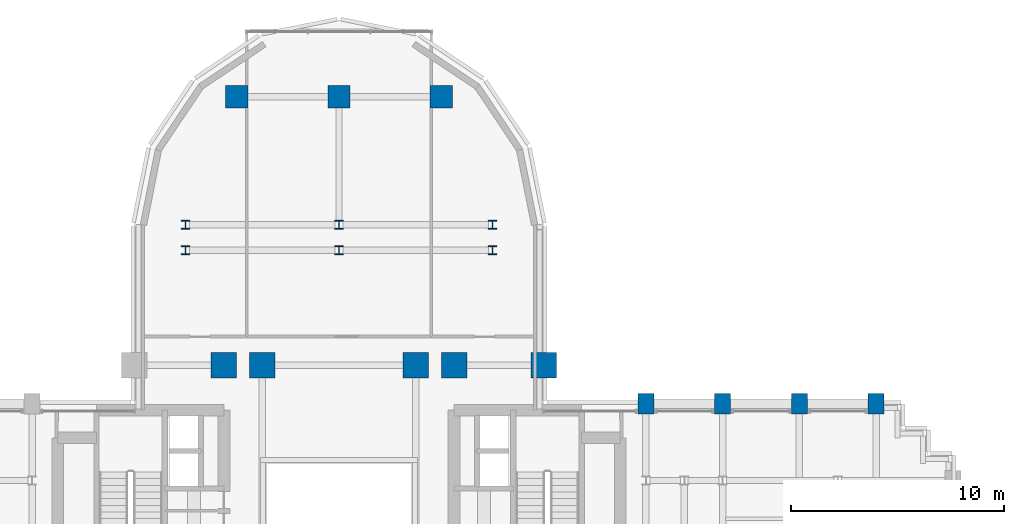
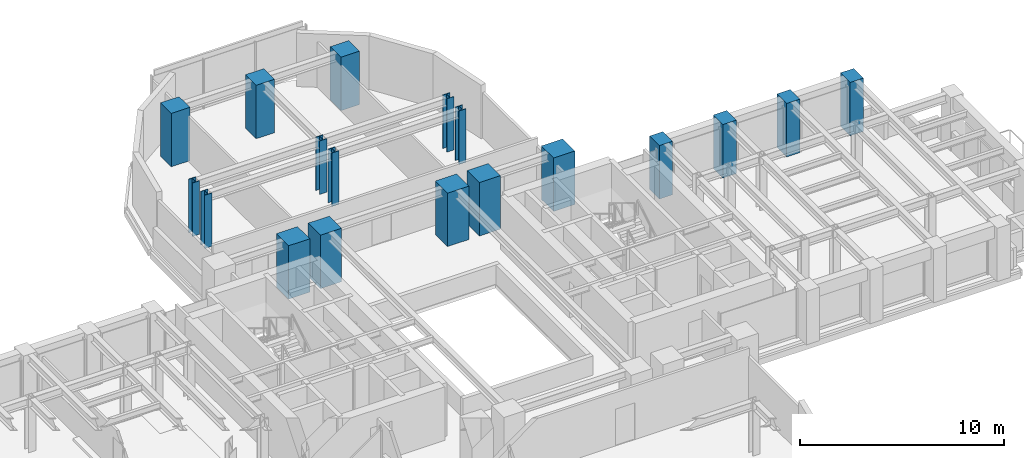
# One storey, part 2 of 15: 18 columns.
"""IFC4 building model written with IfcOpenShell, lengths in metres."""

from ifc_helpers import new_model, si_unit, direction, frame, origin, origin_2d, place, context, subcontext, project, spatial, rectangle, i_section, extrude, source, transform, mapped, material, material_profile, profile_set, type_object, element, save


model = new_model("IFC4")

# Units and contexts
model_context = context("Model", 3, precision=1e-05, world=origin(), true_north=direction((0.0, 1.0)))
body_context = subcontext(model_context, "Body", "Model", "MODEL_VIEW")
ifc_project = project(units=[si_unit("LENGTHUNIT", "METRE"), si_unit("AREAUNIT", "SQUARE_METRE"), si_unit("VOLUMEUNIT", "CUBIC_METRE"), si_unit("PLANEANGLEUNIT", "RADIAN"), si_unit("MASSUNIT", "GRAM", prefix="KILO")], contexts=[model_context])

# Site, building, storey
site_placement = place(None, origin())
site = spatial("IfcSite", under=ifc_project, at=site_placement, CompositionType="ELEMENT")
building_placement = place(site_placement, origin())
building = spatial("IfcBuilding", under=site, at=building_placement, Name="Keilestroom Media Tower", CompositionType="ELEMENT")
storey_placement = place(building_placement, frame((0.0, 0.0, 40.800048828125)))
storey = spatial("IfcBuildingStorey", under=building, at=storey_placement, Name="L09", CompositionType="ELEMENT", Elevation=40.800048828125)

# Columns
ifc_material_1 = material(Name="Precast concrete C40/50", Category="concrete")
ifc_material_profile_1 = material_profile(ifc_material_1, rectangle(XDim=0.75, YDim=0.949951171875, at=origin_2d()), Name="PC 950x750")
ifc_profile_set_1 = profile_set([ifc_material_profile_1], Name="Precast concrete C40/50")
column_type_1 = type_object("IfcColumnType", Name="Structural-Column-PC-950x750", PredefinedType="COLUMN", material=ifc_profile_set_1)
shared_shape_1 = source(origin(), body_context, "Body", "SweptSolid", [
    extrude(rectangle(XDim=0.75, YDim=0.949951171875, at=origin_2d()), origin(), (0.0, 0.0, 1.0), 3.199951171875),
])
for number, where, z_axis, x_axis, name in (
    (1, (14.39990234375, 7.199951171875, 0.0), (0.0, 0.0, 1.0), (1.0, 0.0, 0.0), "L09 Column PC-1 (+14.4,+7.2)"),
    (2, (18.0, 7.199951171875, 0.0), (0.0, 0.0, 1.0), (1.0, 0.0, 0.0), "L09 Column PC-1 (+18.0,+7.2)"),
    (3, (21.60009765625, 7.199951171875, 0.0), (0.0, 0.0, 1.0), (1.0, 0.0, 0.0), "L09 Column PC-1 (+21.6,+7.2)"),
    (4, (25.199951171875, 7.199951171875, 0.0), (0.0, 0.0, 1.0), (1.0, 0.0, 0.0), "L09 Column PC-1 (+25.2,+7.2)"),
):
    element("IfcColumn", number, at=place(storey_placement, frame(where, z_axis=z_axis, x_axis=x_axis)), inside=storey, type_object=column_type_1, Name=name, PredefinedType="COLUMN", context=body_context, shape_type="MappedRepresentation", body=[
        mapped(shared_shape_1, transform((0.0, 0.0, 0.0), x_axis=(1.0, 0.0, 0.0), y_axis=(0.0, 1.0, 0.0), z_axis=(0.0, 0.0, 1.0), scale=1.0)),
    ])
ifc_material_2 = material(Name="Steel S460", Category="steel")
ifc_material_profile_2 = material_profile(ifc_material_2, i_section(OverallWidth=0.404052734375, OverallDepth=0.406982421875, WebThickness=0.02197265625, FlangeThickness=0.035400390625, at=origin_2d()), Name="HD 400x347")
ifc_profile_set_2 = profile_set([ifc_material_profile_2], Name="Steel S460")
column_type_2 = type_object("IfcColumnType", Name="Structural-Column-HD-400x347", PredefinedType="COLUMN", material=ifc_profile_set_2)
shared_shape_2 = source(origin(), body_context, "Body", "SweptSolid", [
    extrude(i_section(OverallWidth=0.404052734375, OverallDepth=0.406982421875, WebThickness=0.02197265625, FlangeThickness=0.035400390625, at=origin_2d()), origin(), (0.0, 0.0, 1.0), 3.199951171875),
])
for number, where, z_axis, x_axis, name in (
    (5, (-7.199951171875, 14.39990234375, 0.0), (0.0, 0.0, 1.0), (1.0, 0.0, 0.0), "L09 Column SC-2 (-7.2,+14.4)"),
    (6, (-7.199951171875, 15.60009765625, 0.0), (0.0, 0.0, 1.0), (1.0, 0.0, 0.0), "L09 Column SC-2 (-7.2,+15.6)"),
    (7, (0.0, 14.39990234375, 0.0), (0.0, 0.0, 1.0), (1.0, 0.0, 0.0), "L09 Column SC-2 (+0.0,+14.4)"),
    (8, (0.0, 15.60009765625, 0.0), (0.0, 0.0, 1.0), (1.0, 0.0, 0.0), "L09 Column SC-2 (+0.0,+15.6)"),
    (9, (7.199951171875, 14.39990234375, 0.0), (0.0, 0.0, 1.0), (1.0, 0.0, 0.0), "L09 Column SC-2 (+7.2,+14.4)"),
    (10, (7.199951171875, 15.60009765625, 0.0), (0.0, 0.0, 1.0), (1.0, 0.0, 0.0), "L09 Column SC-2 (+7.2,+15.6)"),
):
    element("IfcColumn", number, at=place(storey_placement, frame(where, z_axis=z_axis, x_axis=x_axis)), inside=storey, type_object=column_type_2, Name=name, PredefinedType="COLUMN", context=body_context, shape_type="MappedRepresentation", body=[
        mapped(shared_shape_2, transform((0.0, 0.0, 0.0), x_axis=(1.0, 0.0, 0.0), y_axis=(0.0, 1.0, 0.0), z_axis=(0.0, 0.0, 1.0), scale=1.0)),
    ])
ifc_material_3 = material(Name="Concrete C70/85", Category="concrete")
ifc_material_profile_3 = material_profile(ifc_material_3, rectangle(XDim=1.199951171875, YDim=1.199951171875, at=origin_2d()), Name="RC 1200x1200")
ifc_profile_set_3 = profile_set([ifc_material_profile_3], Name="Concrete C70/85")
column_type_3 = type_object("IfcColumnType", Name="Structural-Column-RC-1200x1200", PredefinedType="COLUMN", material=ifc_profile_set_3)
shared_shape_3 = source(origin(), body_context, "Body", "SweptSolid", [
    extrude(rectangle(XDim=1.199951171875, YDim=1.199951171875, at=origin_2d()), origin(), (0.0, 0.0, 1.0), 3.199951171875),
])
for number, where, z_axis, x_axis, name in (
    (11, (-5.39990234375, 9.0, 0.0), (0.0, 0.0, 1.0), (1.0, 0.0, 0.0), "L09 Column MC-2 (-5.4,+9.0)"),
    (12, (-3.60009765625, 9.0, 0.0), (0.0, 0.0, 1.0), (1.0, 0.0, 0.0), "L09 Column MC-2 (-3.6,+9.0)"),
    (13, (3.60009765625, 9.0, 0.0), (0.0, 0.0, 1.0), (1.0, 0.0, 0.0), "L09 Column MC-2 (+3.6,+9.0)"),
    (14, (5.39990234375, 9.0, 0.0), (0.0, 0.0, 1.0), (1.0, 0.0, 0.0), "L09 Column MC-2 (+5.4,+9.0)"),
    (15, (9.60009765625, 9.0, 0.0), (0.0, 0.0, 1.0), (1.0, 0.0, 0.0), "L09 Column MC-2 (+9.6,+9.0)"),
):
    element("IfcColumn", number, at=place(storey_placement, frame(where, z_axis=z_axis, x_axis=x_axis)), inside=storey, type_object=column_type_3, Name=name, PredefinedType="COLUMN", context=body_context, shape_type="MappedRepresentation", body=[
        mapped(shared_shape_3, transform((0.0, 0.0, 0.0), x_axis=(1.0, 0.0, 0.0), y_axis=(0.0, 1.0, 0.0), z_axis=(0.0, 0.0, 1.0), scale=1.0)),
    ])
ifc_material_4 = material(Name="Concrete C55/67", Category="concrete")
ifc_material_profile_4 = material_profile(ifc_material_4, rectangle(XDim=1.050048828125, YDim=1.050048828125, at=origin_2d()), Name="RC 1050x1050")
ifc_profile_set_4 = profile_set([ifc_material_profile_4], Name="Concrete C55/67")
column_type_4 = type_object("IfcColumnType", Name="Structural-Column-RC-1050x1050", PredefinedType="COLUMN", material=ifc_profile_set_4)
shared_shape_4 = source(origin(), body_context, "Body", "SweptSolid", [
    extrude(rectangle(XDim=1.050048828125, YDim=1.050048828125, at=origin_2d()), origin(), (0.0, 0.0, 1.0), 3.199951171875),
])
for number, where, z_axis, x_axis, name in (
    (16, (-4.800048828125, 21.60009765625, 0.0), (0.0, 0.0, 1.0), (1.0, 0.0, 0.0), "L09 Column MC-3 (-4.8,+21.6)"),
    (17, (0.0, 21.60009765625, 0.0), (0.0, 0.0, 1.0), (1.0, 0.0, 0.0), "L09 Column MC-3 (+0.0,+21.6)"),
    (18, (4.800048828125, 21.60009765625, 0.0), (0.0, 0.0, 1.0), (1.0, 0.0, 0.0), "L09 Column MC-3 (+4.8,+21.6)"),
):
    element("IfcColumn", number, at=place(storey_placement, frame(where, z_axis=z_axis, x_axis=x_axis)), inside=storey, type_object=column_type_4, Name=name, PredefinedType="COLUMN", context=body_context, shape_type="MappedRepresentation", body=[
        mapped(shared_shape_4, transform((0.0, 0.0, 0.0), x_axis=(1.0, 0.0, 0.0), y_axis=(0.0, 1.0, 0.0), z_axis=(0.0, 0.0, 1.0), scale=1.0)),
    ])

save(model, "model.ifc")
